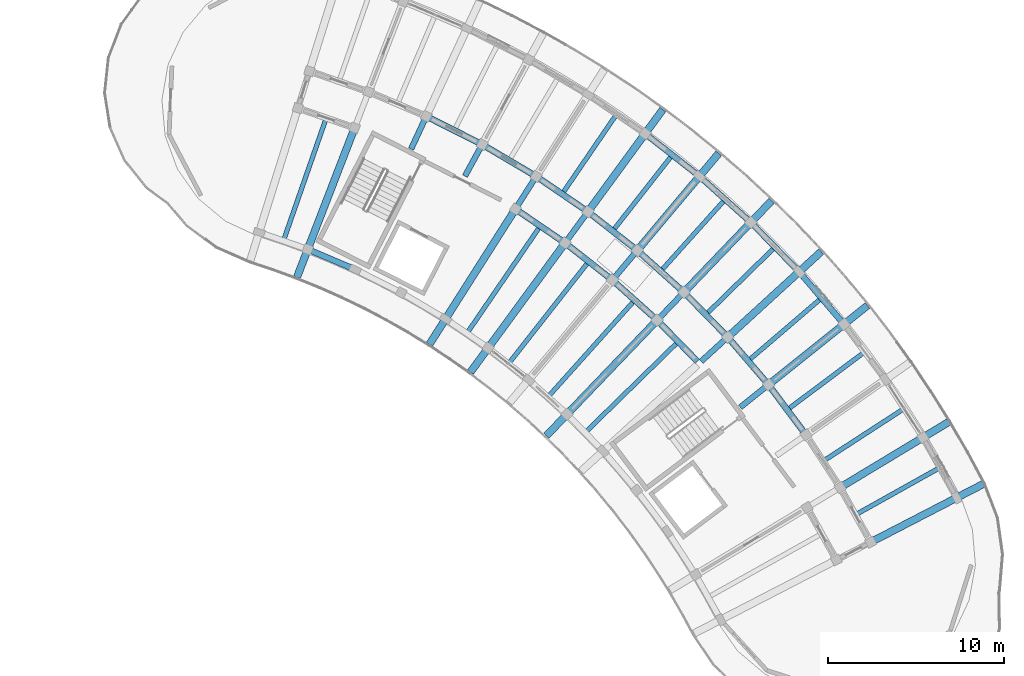
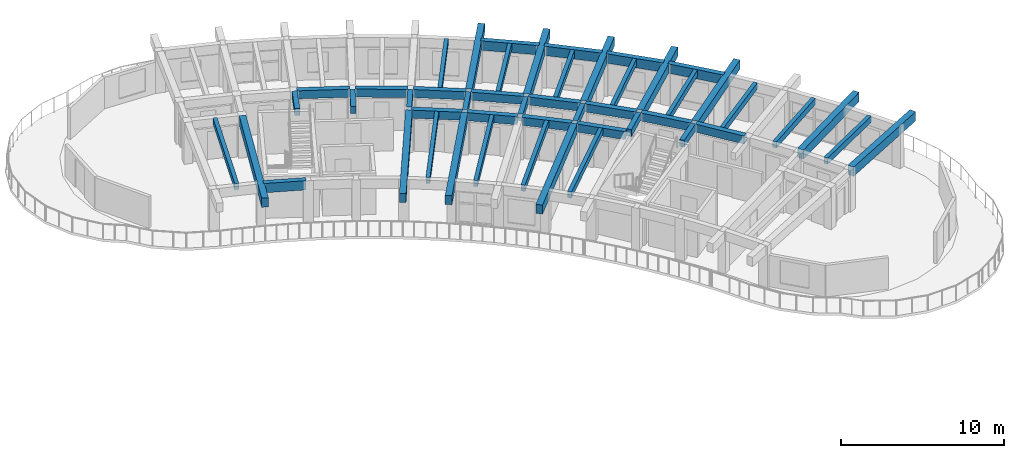
# One storey, part 10 of 36: 49 beams.
"""IFC4 building model written with IfcOpenShell, lengths in metres."""

from ifc_helpers import new_model, si_unit, direction, frame, origin, origin_2d, place, context, subcontext, project, spatial, rectangle, extrude, material, material_profile, profile_set, type_object, element, save


model = new_model("IFC4")

# Units and contexts
model_context = context("Model", 3, precision=1e-05, world=origin(), true_north=direction((0.0, 1.0)))
body_context = subcontext(model_context, "Body", "Model", "MODEL_VIEW")
ifc_project = project(units=[si_unit("LENGTHUNIT", "METRE"), si_unit("AREAUNIT", "SQUARE_METRE"), si_unit("VOLUMEUNIT", "CUBIC_METRE"), si_unit("PLANEANGLEUNIT", "RADIAN"), si_unit("MASSUNIT", "GRAM", prefix="KILO")], contexts=[model_context])

# Site, building, storey
site_placement = place(None, origin())
site = spatial("IfcSite", under=ifc_project, at=site_placement, CompositionType="ELEMENT")
building_placement = place(site_placement, origin())
building = spatial("IfcBuilding", under=site, at=building_placement, Name="Tanwirah Colonnade Gardens", CompositionType="ELEMENT")
storey_placement = place(building_placement, frame((0.0, 0.0, 39.080078125)))
storey = spatial("IfcBuildingStorey", under=building, at=storey_placement, Name="L11", CompositionType="ELEMENT", Elevation=39.080078125)

# Beams
ifc_material_1 = material(Name="Precast concrete C40/50", Category="concrete")
ifc_material_profile_1 = material_profile(ifc_material_1, rectangle(XDim=0.320068359375, YDim=0.52001953125, at=origin_2d()), Name="PC-BM 320x520")
ifc_profile_set_1 = profile_set([ifc_material_profile_1], Name="Precast concrete C40/50")
beam_type_1 = type_object("IfcBeamType", Name="BM-PC320", PredefinedType="BEAM", material=ifc_profile_set_1)
for number, where, z_axis, x_axis, name in (
    (1, (161.601318359375, 92.68896484375, 2.85986328125), (0.78073089418, 0.624867402633, 0.0), (-0.624867402633, 0.78073089418, 0.0), "Block B L11 Corridor Tie Beam 6"),
    (2, (159.37255859375, 95.29345703125, 2.85986328125), (0.737948361517, 0.674857181732, 0.0), (-0.674857181732, 0.737948361517, 0.0), "Block B L11 Corridor Tie Beam 7"),
):
    element("IfcBeam", number, at=place(storey_placement, frame(where, z_axis=z_axis, x_axis=x_axis)), inside=storey, type_object=beam_type_1, Name=name, PredefinedType="BEAM", context=body_context, shape_type="SweptSolid", body=[
        extrude(rectangle(XDim=0.320068359375, YDim=0.52001953125, at=origin_2d()), origin(), (0.0, 0.0, 1.0), 1.89990234375),
    ])
beam_1_placement = place(storey_placement, frame((156.976806640625, 97.74560546875, 2.85986328125), z_axis=(0.691913735329, 0.721980181766, 0.0), x_axis=(-0.721980181766, 0.691913735329, 0.0)))
element("IfcBeam", 3, at=beam_1_placement, inside=storey, type_object=beam_type_1, Name="Block B L11 Corridor Tie Beam 8", PredefinedType="BEAM", context=body_context, shape_type="SweptSolid", body=[
    extrude(rectangle(XDim=0.320068359375, YDim=0.52001953125, at=origin_2d()), origin(), (0.0, 0.0, 1.0), 1.900146484375),
])
beam_2_placement = place(storey_placement, frame((154.425048828125, 100.034423828125, 2.85986328125), z_axis=(0.642797194343, 0.766036400535, 0.0), x_axis=(-0.766036400535, 0.642797194343, 0.0)))
element("IfcBeam", 4, at=beam_2_placement, inside=storey, type_object=beam_type_1, Name="Block B L11 Corridor Tie Beam 9", PredefinedType="BEAM", context=body_context, shape_type="SweptSolid", body=[
    extrude(rectangle(XDim=0.320068359375, YDim=0.52001953125, at=origin_2d()), origin(), (0.0, 0.0, 1.0), 1.89990234375),
])
beam_3_placement = place(storey_placement, frame((151.727783203125, 102.14990234375, 2.85986328125), z_axis=(0.590895676149, 0.806747977939, 0.0), x_axis=(-0.806747977939, 0.590895676149, 0.0)))
element("IfcBeam", 5, at=beam_3_placement, inside=storey, type_object=beam_type_1, Name="Block B L11 Corridor Tie Beam 10", PredefinedType="BEAM", context=body_context, shape_type="SweptSolid", body=[
    extrude(rectangle(XDim=0.320068359375, YDim=0.52001953125, at=origin_2d()), origin(), (0.0, 0.0, 1.0), 1.900146484375),
])
for number, where, z_axis, x_axis, name in (
    (6, (148.89697265625, 104.08349609375, 2.85986328125), (0.536509579595, 0.843894229749, 0.0), (-0.843894229749, 0.536509579595, 0.0), "Block B L11 Corridor Tie Beam 11"),
    (7, (145.945068359375, 105.826171875, 2.85986328125), (0.479707235792, 0.877428611301, 0.0), (-0.877428611301, 0.479707235792, 0.0), "Block B L11 Corridor Tie Beam 12"),
    (8, (142.884765625, 107.37060546875, 2.85986328125), (0.420858322681, 0.90712638162, 0.0), (-0.90712638162, 0.420858322681, 0.0), "Block B L11 Corridor Tie Beam 13"),
):
    element("IfcBeam", number, at=place(storey_placement, frame(where, z_axis=z_axis, x_axis=x_axis)), inside=storey, type_object=beam_type_1, Name=name, PredefinedType="BEAM", context=body_context, shape_type="SweptSolid", body=[
        extrude(rectangle(XDim=0.320068359375, YDim=0.52001953125, at=origin_2d()), origin(), (0.0, 0.0, 1.0), 1.89990234375),
    ])
ifc_material_profile_2 = material_profile(ifc_material_1, rectangle(XDim=0.35009765625, YDim=0.60009765625, at=origin_2d()), Name="PC-BM 350x600")
ifc_profile_set_2 = profile_set([ifc_material_profile_2], Name="Precast concrete C40/50")
beam_type_2 = type_object("IfcBeamType", Name="BM-PC350B", PredefinedType="BEAM", material=ifc_profile_set_2)
beam_4_placement = place(storey_placement, frame((165.245361328125, 91.236083984375, 2.81982421875), z_axis=(-0.59871829396, 0.800959677186, 0.0), x_axis=(-0.800959677186, -0.59871829396, 0.0)))
element("IfcBeam", 9, at=beam_4_placement, inside=storey, type_object=beam_type_2, Name="Block B L11 Circumferential Beam 5-R2", PredefinedType="BEAM", context=body_context, shape_type="SweptSolid", body=[
    extrude(rectangle(XDim=0.35009765625, YDim=0.60009765625, at=origin_2d()), origin(), (0.0, 0.0, 1.0), 3.262939453125),
])
beam_5_placement = place(storey_placement, frame((163.1044921875, 94.083740234375, 2.81982421875), z_axis=(-0.650218192342, 0.759747525398, 0.0), x_axis=(-0.759747525398, -0.650218192342, 0.0)))
element("IfcBeam", 10, at=beam_5_placement, inside=storey, type_object=beam_type_2, Name="Block B L11 Circumferential Beam 6-R2", PredefinedType="BEAM", context=body_context, shape_type="SweptSolid", body=[
    extrude(rectangle(XDim=0.35009765625, YDim=0.60009765625, at=origin_2d()), origin(), (0.0, 0.0, 1.0), 3.26318359375),
])
beam_6_placement = place(storey_placement, frame((159.156982421875, 95.299560546875, 2.81982421875), z_axis=(-0.698837366631, 0.715280598787, 0.0), x_axis=(-0.715280598787, -0.698837366631, 0.0)))
element("IfcBeam", 11, at=beam_6_placement, inside=storey, type_object=beam_type_2, Name="Block B L11 Circumferential Beam 7-R1", PredefinedType="BEAM", context=body_context, shape_type="SweptSolid", body=[
    extrude(rectangle(XDim=0.35009765625, YDim=0.60009765625, at=origin_2d()), origin(), (0.0, 0.0, 1.0), 3.117919921875),
])
beam_7_placement = place(storey_placement, frame((160.780517578125, 96.7841796875, 2.81982421875), z_axis=(-0.698829447339, 0.71528833594, 0.0), x_axis=(-0.71528833594, -0.698829447339, 0.0)))
element("IfcBeam", 12, at=beam_7_placement, inside=storey, type_object=beam_type_2, Name="Block B L11 Circumferential Beam 7-R2", PredefinedType="BEAM", context=body_context, shape_type="SweptSolid", body=[
    extrude(rectangle(XDim=0.35009765625, YDim=0.60009765625, at=origin_2d()), origin(), (0.0, 0.0, 1.0), 3.263427734375),
])
beam_8_placement = place(storey_placement, frame((156.761474609375, 97.7373046875, 2.81982421875), z_axis=(-0.744429866059, 0.667700662363, 0.0), x_axis=(-0.667700662363, -0.744429866059, 0.0)))
element("IfcBeam", 13, at=beam_8_placement, inside=storey, type_object=beam_type_2, Name="Block B L11 Circumferential Beam 8-R1", PredefinedType="BEAM", context=body_context, shape_type="SweptSolid", body=[
    extrude(rectangle(XDim=0.35009765625, YDim=0.60009765625, at=origin_2d()), origin(), (0.0, 0.0, 1.0), 3.1181640625),
])
beam_9_placement = place(storey_placement, frame((158.283447265625, 99.32568359375, 2.81982421875), z_axis=(-0.744409136578, 0.667723773262, 0.0), x_axis=(-0.667723773262, -0.744409136578, 0.0)))
element("IfcBeam", 14, at=beam_9_placement, inside=storey, type_object=beam_type_2, Name="Block B L11 Circumferential Beam 8-R2", PredefinedType="BEAM", context=body_context, shape_type="SweptSolid", body=[
    extrude(rectangle(XDim=0.35009765625, YDim=0.60009765625, at=origin_2d()), origin(), (0.0, 0.0, 1.0), 3.26318359375),
])
beam_10_placement = place(storey_placement, frame((154.21044921875, 100.011962890625, 2.81982421875), z_axis=(-0.78679899272, 0.617209320292, 0.0), x_axis=(-0.617209320292, -0.78679899272, 0.0)))
element("IfcBeam", 15, at=beam_10_placement, inside=storey, type_object=beam_type_2, Name="Block B L11 Circumferential Beam 9-R1", PredefinedType="BEAM", context=body_context, shape_type="SweptSolid", body=[
    extrude(rectangle(XDim=0.35009765625, YDim=0.60009765625, at=origin_2d()), origin(), (0.0, 0.0, 1.0), 3.1181640625),
])
beam_11_placement = place(storey_placement, frame((155.624755859375, 101.697265625, 2.81982421875), z_axis=(-0.786839882256, 0.617157192044, 0.0), x_axis=(-0.617157192044, -0.786839882256, 0.0)))
element("IfcBeam", 16, at=beam_11_placement, inside=storey, type_object=beam_type_2, Name="Block B L11 Circumferential Beam 9-R2", PredefinedType="BEAM", context=body_context, shape_type="SweptSolid", body=[
    extrude(rectangle(XDim=0.35009765625, YDim=0.60009765625, at=origin_2d()), origin(), (0.0, 0.0, 1.0), 3.26318359375),
])
beam_12_placement = place(storey_placement, frame((151.515380859375, 102.113525390625, 2.81982421875), z_axis=(-0.825758291455, 0.564024152047, 0.0), x_axis=(-0.564024152047, -0.825758291455, 0.0)))
element("IfcBeam", 17, at=beam_12_placement, inside=storey, type_object=beam_type_2, Name="Block B L11 Circumferential Beam 10-R1", PredefinedType="BEAM", context=body_context, shape_type="SweptSolid", body=[
    extrude(rectangle(XDim=0.35009765625, YDim=0.60009765625, at=origin_2d()), origin(), (0.0, 0.0, 1.0), 3.118408203125),
])
for number, where, z_axis, x_axis, name in (
    (18, (152.815185546875, 103.888427734375, 2.81982421875), (-0.825782284145, 0.563989024, 0.0), (-0.563989024, -0.825782284145, 0.0), "Block B L11 Circumferential Beam 10-R2"),
    (19, (149.86767578125, 105.8896484375, 2.81982421875), (-0.861134978964, 0.508376384193, 0.0), (-0.508376384193, -0.861134978964, 0.0), "Block B L11 Circumferential Beam 11-R2"),
    (20, (146.794677734375, 107.6923828125, 2.81982421875), (-0.89276014323, 0.450532270387, 0.0), (-0.450532270387, -0.89276014323, 0.0), "Block B L11 Circumferential Beam 12-R2"),
):
    element("IfcBeam", number, at=place(storey_placement, frame(where, z_axis=z_axis, x_axis=x_axis)), inside=storey, type_object=beam_type_2, Name=name, PredefinedType="BEAM", context=body_context, shape_type="SweptSolid", body=[
        extrude(rectangle(XDim=0.35009765625, YDim=0.60009765625, at=origin_2d()), origin(), (0.0, 0.0, 1.0), 3.26318359375),
    ])
ifc_material_2 = material(Name="Precast concrete C45/55", Category="concrete")
ifc_material_profile_3 = material_profile(ifc_material_2, rectangle(XDim=0.419921875, YDim=0.679931640625, at=origin_2d()), Name="PC-BM 420x680")
ifc_profile_set_3 = profile_set([ifc_material_profile_3], Name="Precast concrete C45/55")
beam_type_3 = type_object("IfcBeamType", Name="BM-PC420", PredefinedType="BEAM", material=ifc_profile_set_3)
beam_13_placement = place(storey_placement, frame((169.148681640625, 85.0869140625, 2.780029296875), z_axis=(0.888348690665, 0.459169471758, 0.0), x_axis=(-0.459169471758, 0.888348690665, 0.0)))
element("IfcBeam", 21, at=beam_13_placement, inside=storey, type_object=beam_type_3, Name="Block B L11 Outer Radial Precast Girder 3", PredefinedType="BEAM", context=body_context, shape_type="SweptSolid", body=[
    extrude(rectangle(XDim=0.419921875, YDim=0.679931640625, at=origin_2d()), origin(), (0.0, 0.0, 1.0), 7.0498046875),
])
for number, where, z_axis, x_axis, name in (
    (22, (167.404296875, 88.205078125, 2.780029296875), (0.856157813984, 0.516714425533, 0.0), (-0.516714425533, 0.856157813984, 0.0), "Block B L11 Outer Radial Precast Girder 4"),
    (23, (163.319091796875, 94.0634765625, 2.780029296875), (0.780794476885, 0.624787951921, 0.0), (-0.624787951921, 0.780794476885, 0.0), "Block B L11 Outer Radial Precast Girder 6"),
    (24, (160.995849609375, 96.7783203125, 2.780029296875), (0.737934199263, 0.674872667663, 0.0), (-0.674872667663, 0.737934199263, 0.0), "Block B L11 Outer Radial Precast Girder 7"),
):
    element("IfcBeam", number, at=place(storey_placement, frame(where, z_axis=z_axis, x_axis=x_axis)), inside=storey, type_object=beam_type_3, Name=name, PredefinedType="BEAM", context=body_context, shape_type="SweptSolid", body=[
        extrude(rectangle(XDim=0.419921875, YDim=0.679931640625, at=origin_2d()), origin(), (0.0, 0.0, 1.0), 7.050048828125),
    ])
beam_14_placement = place(storey_placement, frame((156.769287109375, 97.52880859375, 2.780029296875), z_axis=(-0.691860926595, -0.722030787606, 0.0), x_axis=(0.722030787606, -0.691860926595, 0.0)))
element("IfcBeam", 25, at=beam_14_placement, inside=storey, type_object=beam_type_3, Name="Block B L11 Inner Radial Precast Girder 8", PredefinedType="BEAM", context=body_context, shape_type="SweptSolid", body=[
    extrude(rectangle(XDim=0.419921875, YDim=0.679931640625, at=origin_2d()), origin(), (0.0, 0.0, 1.0), 8.949951171875),
])
beam_15_placement = place(storey_placement, frame((158.4990234375, 99.333984375, 2.780029296875), z_axis=(0.691864746793, 0.722027127015, 0.0), x_axis=(-0.722027127015, 0.691864746793, 0.0)))
element("IfcBeam", 26, at=beam_15_placement, inside=storey, type_object=beam_type_3, Name="Block B L11 Outer Radial Precast Girder 8", PredefinedType="BEAM", context=body_context, shape_type="SweptSolid", body=[
    extrude(rectangle(XDim=0.419921875, YDim=0.679931640625, at=origin_2d()), origin(), (0.0, 0.0, 1.0), 7.050048828125),
])
beam_16_placement = place(storey_placement, frame((155.839111328125, 101.7197265625, 2.780029296875), z_axis=(0.642810291951, 0.766025409867, 0.0), x_axis=(-0.766025409867, 0.642810291951, 0.0)))
element("IfcBeam", 27, at=beam_16_placement, inside=storey, type_object=beam_type_3, Name="Block B L11 Outer Radial Precast Girder 9", PredefinedType="BEAM", context=body_context, shape_type="SweptSolid", body=[
    extrude(rectangle(XDim=0.419921875, YDim=0.679931640625, at=origin_2d()), origin(), (0.0, 0.0, 1.0), 7.0498046875),
])
beam_17_placement = place(storey_placement, frame((151.550537109375, 101.907958984375, 2.780029296875), z_axis=(-0.590927205009, -0.806724883947, 0.0), x_axis=(0.806724883947, -0.590927205009, 0.0)))
element("IfcBeam", 28, at=beam_17_placement, inside=storey, type_object=beam_type_3, Name="Block B L11 Inner Radial Precast Girder 10", PredefinedType="BEAM", context=body_context, shape_type="SweptSolid", body=[
    extrude(rectangle(XDim=0.419921875, YDim=0.679931640625, at=origin_2d()), origin(), (0.0, 0.0, 1.0), 8.949951171875),
])
beam_18_placement = place(storey_placement, frame((153.02783203125, 103.9248046875, 2.780029296875), z_axis=(0.590919194225, 0.806730751798, 0.0), x_axis=(-0.806730751798, 0.590919194225, 0.0)))
element("IfcBeam", 29, at=beam_18_placement, inside=storey, type_object=beam_type_3, Name="Block B L11 Outer Radial Precast Girder 10", PredefinedType="BEAM", context=body_context, shape_type="SweptSolid", body=[
    extrude(rectangle(XDim=0.419921875, YDim=0.679931640625, at=origin_2d()), origin(), (0.0, 0.0, 1.0), 7.050048828125),
])
for number, where, z_axis, x_axis, name in (
    (30, (148.736083984375, 103.830322265625, 2.780029296875), (-0.536483588607, -0.843910753075, 0.0), (0.843910753075, -0.536483588607, 0.0), "Block B L11 Inner Radial Precast Girder 11"),
    (31, (139.62109375, 108.43017578125, 2.780029296875), (-0.360155980892, -0.932892099563, 0.0), (0.932892099563, -0.360155980892, 0.0), "Block B L11 Inner Radial Precast Girder 14"),
):
    element("IfcBeam", number, at=place(storey_placement, frame(where, z_axis=z_axis, x_axis=x_axis)), inside=storey, type_object=beam_type_3, Name=name, PredefinedType="BEAM", context=body_context, shape_type="SweptSolid", body=[
        extrude(rectangle(XDim=0.419921875, YDim=0.679931640625, at=origin_2d()), origin(), (0.0, 0.0, 1.0), 8.949951171875),
    ])
ifc_material_profile_4 = material_profile(ifc_material_1, rectangle(XDim=0.260009765625, YDim=0.4599609375, at=origin_2d()), Name="PC-JST 260x460")
ifc_profile_set_4 = profile_set([ifc_material_profile_4], Name="Precast concrete C40/50")
beam_type_4 = type_object("IfcBeamType", Name="JST-PC260", PredefinedType="JOIST", material=ifc_profile_set_4)
beam_19_placement = place(storey_placement, frame((168.27587890625, 86.645751953125, 2.889892578125), z_axis=(0.872737031138, 0.488190612855, 0.0), x_axis=(-0.488190612855, 0.872737031138, 0.0)))
element("IfcBeam", 32, at=beam_19_placement, inside=storey, type_object=beam_type_4, Name="Block B L11 Precast Floor Joist 3", PredefinedType="JOIST", context=body_context, shape_type="SweptSolid", body=[
    extrude(rectangle(XDim=0.260009765625, YDim=0.4599609375, at=origin_2d()), origin(), (0.0, 0.0, 1.0), 5.260009765625),
])
beam_20_placement = place(storey_placement, frame((166.4306640625, 89.703125, 2.889892578125), z_axis=(0.83868742622, 0.544613074669, 0.0), x_axis=(-0.544613074669, 0.83868742622, 0.0)))
element("IfcBeam", 33, at=beam_20_placement, inside=storey, type_object=beam_type_4, Name="Block B L11 Precast Floor Joist 4", PredefinedType="JOIST", context=body_context, shape_type="SweptSolid", body=[
    extrude(rectangle(XDim=0.260009765625, YDim=0.4599609375, at=origin_2d()), origin(), (0.0, 0.0, 1.0), 5.26025390625),
])
beam_21_placement = place(storey_placement, frame((164.38818359375, 92.63232421875, 2.889892578125), z_axis=(0.800973647215, 0.598699604533, 0.0), x_axis=(-0.598699604533, 0.800973647215, 0.0)))
element("IfcBeam", 34, at=beam_21_placement, inside=storey, type_object=beam_type_4, Name="Block B L11 Precast Floor Joist 5", PredefinedType="JOIST", context=body_context, shape_type="SweptSolid", body=[
    extrude(rectangle(XDim=0.260009765625, YDim=0.4599609375, at=origin_2d()), origin(), (0.0, 0.0, 1.0), 5.260009765625),
])
beam_22_placement = place(storey_placement, frame((162.156982421875, 95.42041015625, 2.889892578125), z_axis=(0.759770723643, 0.65019108537, 0.0), x_axis=(-0.65019108537, 0.759770723643, 0.0)))
element("IfcBeam", 35, at=beam_22_placement, inside=storey, type_object=beam_type_4, Name="Block B L11 Precast Floor Joist 6", PredefinedType="JOIST", context=body_context, shape_type="SweptSolid", body=[
    extrude(rectangle(XDim=0.260009765625, YDim=0.4599609375, at=origin_2d()), origin(), (0.0, 0.0, 1.0), 5.26025390625),
])
beam_23_placement = place(storey_placement, frame((159.7470703125, 98.0556640625, 2.889892578125), z_axis=(0.715297399369, 0.698820170327, 0.0), x_axis=(-0.698820170327, 0.715297399369, 0.0)))
element("IfcBeam", 36, at=beam_23_placement, inside=storey, type_object=beam_type_4, Name="Block B L11 Precast Floor Joist 7", PredefinedType="JOIST", context=body_context, shape_type="SweptSolid", body=[
    extrude(rectangle(XDim=0.260009765625, YDim=0.4599609375, at=origin_2d()), origin(), (0.0, 0.0, 1.0), 5.260009765625),
])
beam_24_placement = place(storey_placement, frame((152.88037109375, 91.346923828125, 2.889892578125), z_axis=(0.715276680509, 0.698841377081, 0.0), x_axis=(-0.698841377081, 0.715276680509, 0.0)))
element("IfcBeam", 37, at=beam_24_placement, inside=storey, type_object=beam_type_4, Name="Block B L11 Inner Precast Floor Joist 7", PredefinedType="JOIST", context=body_context, shape_type="SweptSolid", body=[
    extrude(rectangle(XDim=0.260009765625, YDim=0.4599609375, at=origin_2d()), origin(), (0.0, 0.0, 1.0), 7.159912109375),
])
beam_25_placement = place(storey_placement, frame((157.168701171875, 100.5263671875, 2.889892578125), z_axis=(0.667678987176, 0.744449306591, 0.0), x_axis=(-0.744449306591, 0.667678987176, 0.0)))
element("IfcBeam", 38, at=beam_25_placement, inside=storey, type_object=beam_type_4, Name="Block B L11 Precast Floor Joist 8", PredefinedType="JOIST", context=body_context, shape_type="SweptSolid", body=[
    extrude(rectangle(XDim=0.260009765625, YDim=0.4599609375, at=origin_2d()), origin(), (0.0, 0.0, 1.0), 5.260009765625),
])
beam_26_placement = place(storey_placement, frame((150.7587890625, 93.379638671875, 2.889892578125), z_axis=(0.667688404274, 0.744440860511, 0.0), x_axis=(-0.744440860511, 0.667688404274, 0.0)))
element("IfcBeam", 39, at=beam_26_placement, inside=storey, type_object=beam_type_4, Name="Block B L11 Inner Precast Floor Joist 8", PredefinedType="JOIST", context=body_context, shape_type="SweptSolid", body=[
    extrude(rectangle(XDim=0.260009765625, YDim=0.4599609375, at=origin_2d()), origin(), (0.0, 0.0, 1.0), 7.16015625),
])
beam_27_placement = place(storey_placement, frame((154.43310546875, 102.82177734375, 2.889892578125), z_axis=(0.617177687243, 0.786823806433, 0.0), x_axis=(-0.786823806433, 0.617177687243, 0.0)))
element("IfcBeam", 40, at=beam_27_placement, inside=storey, type_object=beam_type_4, Name="Block B L11 Precast Floor Joist 9", PredefinedType="JOIST", context=body_context, shape_type="SweptSolid", body=[
    extrude(rectangle(XDim=0.260009765625, YDim=0.4599609375, at=origin_2d()), origin(), (0.0, 0.0, 1.0), 5.260009765625),
])
beam_28_placement = place(storey_placement, frame((148.508056640625, 95.268310546875, 2.889892578125), z_axis=(0.617202438917, 0.786804390808, 0.0), x_axis=(-0.786804390808, 0.617202438917, 0.0)))
element("IfcBeam", 41, at=beam_28_placement, inside=storey, type_object=beam_type_4, Name="Block B L11 Inner Precast Floor Joist 9", PredefinedType="JOIST", context=body_context, shape_type="SweptSolid", body=[
    extrude(rectangle(XDim=0.260009765625, YDim=0.4599609375, at=origin_2d()), origin(), (0.0, 0.0, 1.0), 7.159912109375),
])
beam_29_placement = place(storey_placement, frame((151.55224609375, 104.931884765625, 2.889892578125), z_axis=(0.563973225998, 0.825793073571, 0.0), x_axis=(-0.825793073571, 0.563973225998, 0.0)))
element("IfcBeam", 42, at=beam_29_placement, inside=storey, type_object=beam_type_4, Name="Block B L11 Precast Floor Joist 10", PredefinedType="JOIST", context=body_context, shape_type="SweptSolid", body=[
    extrude(rectangle(XDim=0.260009765625, YDim=0.4599609375, at=origin_2d()), origin(), (0.0, 0.0, 1.0), 5.260009765625),
])
for number, where, z_axis, x_axis, name in (
    (43, (146.1376953125, 97.004638671875, 2.889892578125), (0.564021195806, 0.825760310672, 0.0), (-0.825760310672, 0.564021195806, 0.0), "Block B L11 Inner Precast Floor Joist 10"),
    (44, (135.673828125, 102.28515625, 2.889892578125), (0.329250558112, 0.944242590642, 0.0), (-0.944242590642, 0.329250558112, 0.0), "Block B L11 Inner Precast Floor Joist 14"),
):
    element("IfcBeam", number, at=place(storey_placement, frame(where, z_axis=z_axis, x_axis=x_axis)), inside=storey, type_object=beam_type_4, Name=name, PredefinedType="JOIST", context=body_context, shape_type="SweptSolid", body=[
        extrude(rectangle(XDim=0.260009765625, YDim=0.4599609375, at=origin_2d()), origin(), (0.0, 0.0, 1.0), 7.159912109375),
    ])
ifc_material_profile_5 = material_profile(ifc_material_1, rectangle(XDim=0.3349609375, YDim=0.695068359375, at=origin_2d()), Name="PC-SP 335x695")
ifc_profile_set_5 = profile_set([ifc_material_profile_5], Name="Precast concrete C40/50")
beam_type_5 = type_object("IfcBeamType", Name="SP-PC300", PredefinedType="SPANDREL", material=ifc_profile_set_5)
beam_30_placement = place(storey_placement, frame((167.398681640625, 97.52001953125, 2.7724609375), z_axis=(-0.650170105297, 0.759788677317, 0.0), x_axis=(-0.759788677317, -0.650170105297, 0.0)))
element("IfcBeam", 45, at=beam_30_placement, inside=storey, type_object=beam_type_5, Name="Block B L11 Circumferential Beam 6-R3", PredefinedType="SPANDREL", context=body_context, shape_type="SweptSolid", body=[
    extrude(rectangle(XDim=0.3349609375, YDim=0.695068359375, at=origin_2d()), origin(), (0.0, 0.0, 1.0), 3.625732421875),
])
beam_31_placement = place(storey_placement, frame((164.839111328125, 100.49609375, 2.7724609375), z_axis=(-0.698844493997, 0.715273635199, 0.0), x_axis=(-0.715273635199, -0.698844493997, 0.0)))
element("IfcBeam", 46, at=beam_31_placement, inside=storey, type_object=beam_type_5, Name="Block B L11 Circumferential Beam 7-R3", PredefinedType="SPANDREL", context=body_context, shape_type="SweptSolid", body=[
    extrude(rectangle(XDim=0.3349609375, YDim=0.695068359375, at=origin_2d()), origin(), (0.0, 0.0, 1.0), 3.6259765625),
])
beam_32_placement = place(storey_placement, frame((162.0888671875, 103.296875, 2.7724609375), z_axis=(-0.744444790955, 0.667684021989, 0.0), x_axis=(-0.667684021989, -0.744444790955, 0.0)))
element("IfcBeam", 47, at=beam_32_placement, inside=storey, type_object=beam_type_5, Name="Block B L11 Circumferential Beam 8-R3", PredefinedType="SPANDREL", context=body_context, shape_type="SweptSolid", body=[
    extrude(rectangle(XDim=0.3349609375, YDim=0.695068359375, at=origin_2d()), origin(), (0.0, 0.0, 1.0), 3.625732421875),
])
beam_33_placement = place(storey_placement, frame((159.159912109375, 105.91064453125, 2.7724609375), z_axis=(-0.786843799845, 0.617152197311, 0.0), x_axis=(-0.617152197311, -0.786843799845, 0.0)))
element("IfcBeam", 48, at=beam_33_placement, inside=storey, type_object=beam_type_5, Name="Block B L11 Circumferential Beam 9-R3", PredefinedType="SPANDREL", context=body_context, shape_type="SweptSolid", body=[
    extrude(rectangle(XDim=0.3349609375, YDim=0.695068359375, at=origin_2d()), origin(), (0.0, 0.0, 1.0), 3.62548828125),
])
beam_34_placement = place(storey_placement, frame((139.569091796875, 100.580322265625, 2.7724609375), z_axis=(-0.920488719784, 0.390769134848, 0.0), x_axis=(-0.390769134848, -0.920488719784, 0.0)))
element("IfcBeam", 49, at=beam_34_placement, inside=storey, type_object=beam_type_5, Name="Block B L11 Circumferential Beam 13-R0", PredefinedType="SPANDREL", context=body_context, shape_type="SweptSolid", body=[
    extrude(rectangle(XDim=0.3349609375, YDim=0.695068359375, at=origin_2d()), origin(), (0.0, 0.0, 1.0), 2.63037109375),
])

save(model, "model.ifc")
